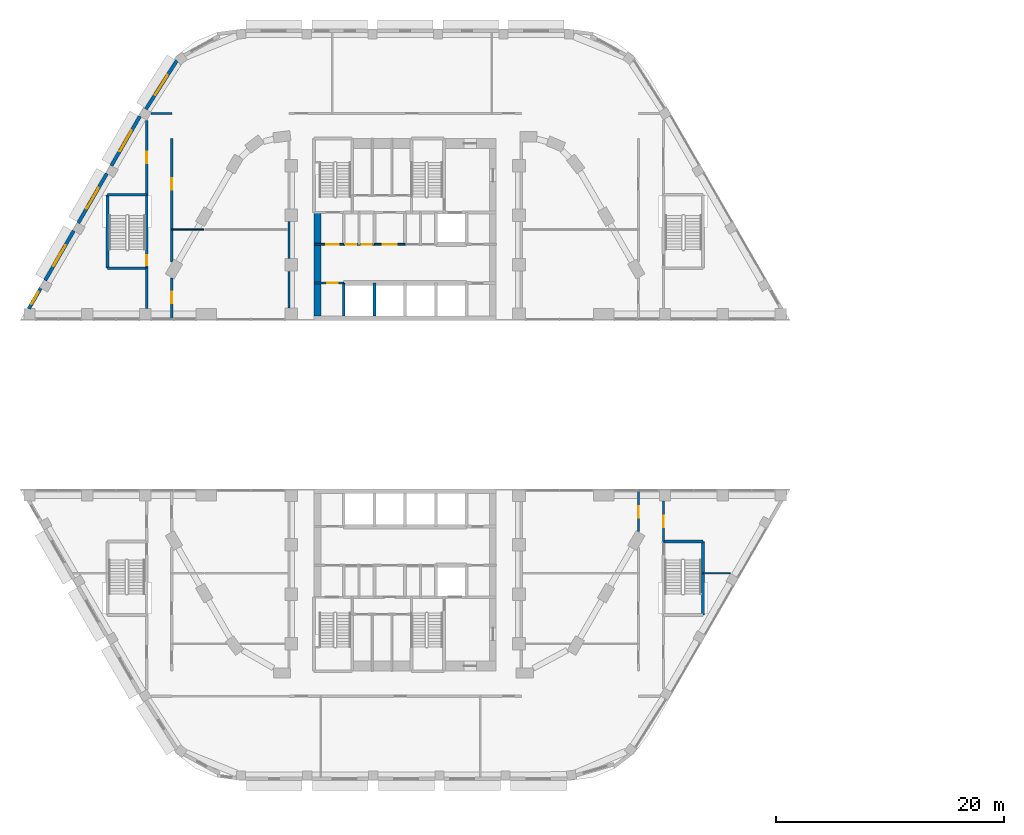
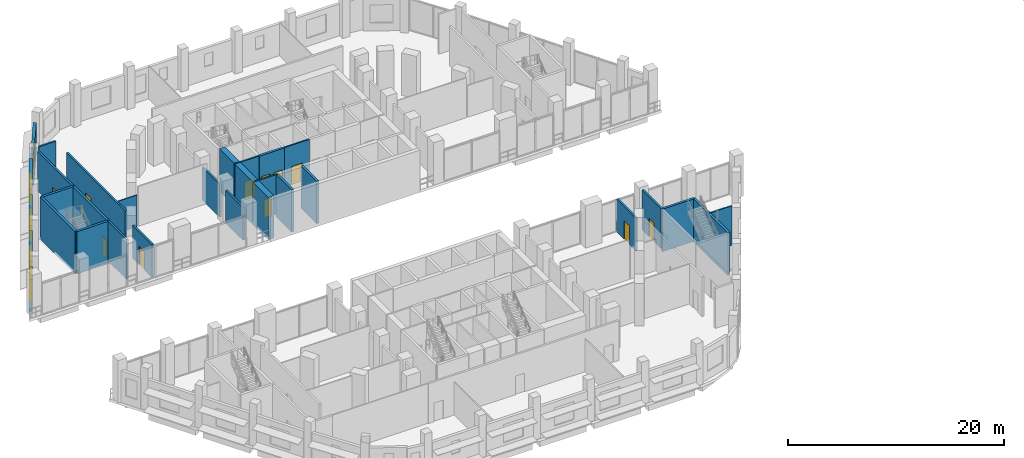
# One storey, part 18 of 45: 29 walls, 11 doors, 5 windows, 16 openings.
"""IFC4 building model written with IfcOpenShell, lengths in metres."""

from ifc_helpers import new_model, si_unit, direction, frame, frame_2d, origin, place, context, subcontext, project, spatial, rectangle, extrude, material, layer, layer_set, type_object, element, fill, save


model = new_model("IFC4")

# Units and contexts
model_context = context("Model", 3, precision=1e-05, world=origin(), true_north=direction((0.0, 1.0)))
body_context = subcontext(model_context, "Body", "Model", "MODEL_VIEW")
ifc_project = project(units=[si_unit("LENGTHUNIT", "METRE"), si_unit("AREAUNIT", "SQUARE_METRE"), si_unit("VOLUMEUNIT", "CUBIC_METRE"), si_unit("PLANEANGLEUNIT", "RADIAN"), si_unit("MASSUNIT", "GRAM", prefix="KILO")], contexts=[model_context])

# Site, building, storey
site_placement = place(None, origin())
site = spatial("IfcSite", under=ifc_project, at=site_placement, CompositionType="ELEMENT")
building_placement = place(site_placement, origin())
building = spatial("IfcBuilding", under=site, at=building_placement, Name="Nakaniwa Court", CompositionType="ELEMENT")
storey_placement = place(building_placement, frame((0.0, 0.0, 6.60009765625)))
storey = spatial("IfcBuildingStorey", under=building, at=storey_placement, Name="L01", CompositionType="ELEMENT", Elevation=6.60009765625)

# Wall, opening, door
ifc_material_1 = material(Name="Acoustic double stud partition")
ifc_layer_1 = layer(ifc_material_1, 0.199951171875)
ifc_layer_set_1 = layer_set([ifc_layer_1], Name="Acoustic double stud partition")
wall_type_1 = type_object("IfcWallType", Name="Acoustic double stud partition 200", PredefinedType="PARTITIONING", material=ifc_layer_set_1)
wall_1_placement = place(storey_placement, frame((102.699951171875, 71.532958984375, 0.0), z_axis=(0.0, 0.0, 1.0), x_axis=(0.0, -1.0, 0.0)))
wall_1 = element("IfcWall", 1, at=wall_1_placement, inside=storey, type_object=wall_type_1, Name="Partition PW-084", PredefinedType="PARTITIONING", context=body_context, shape_type="SweptSolid", body=[
    extrude(rectangle(XDim=3.535888671875, YDim=0.199951171875, at=frame_2d((1.76806640625, 0.0))), origin(), (0.0, 0.0, 1.0), 4.5),
])
opening_1_placement = place(wall_1_placement, frame((1.26806640625, 0.0, 0.0)))
opening_1 = element("IfcOpeningElement", 2, at=opening_1_placement, cuts=wall_1, Name="Opening D-02-09", PredefinedType="OPENING", context=body_context, shape_type="SweptSolid", body=[
    extrude(rectangle(XDim=1.0, YDim=2.10009765625, at=frame_2d((0.5, 1.050048828125))), frame((0.0, 0.10986328125, 0.0), z_axis=(0.0, -1.0, 0.0), x_axis=(1.0, 0.0, 0.0)), (0.0, 0.0, 1.0), 0.219970703125),
])
ifc_material_2 = material(Name="Solid core timber door set, black veneer", Category="wood")
door_type_1 = type_object("IfcDoorType", Name="Internal door 1000", OperationType="NOTDEFINED", PredefinedType="DOOR", material=ifc_material_2)
door_1_placement = place(opening_1_placement, origin())
door_1 = element("IfcDoor", 3, at=door_1_placement, inside=storey, type_object=door_type_1, Name="Door D-02-09 L01-044", OperationType="SINGLE_SWING_LEFT", OverallHeight=2.10009765625, OverallWidth=1.0, PredefinedType="DOOR", context=body_context, shape_type="SweptSolid", body=[
    extrude(rectangle(XDim=1.0, YDim=2.10009765625, at=frame_2d((0.5, 1.050048828125))), frame((0.0, 0.02490234375, 0.0), z_axis=(0.0, -1.0, 0.0), x_axis=(1.0, 0.0, 0.0)), (0.0, 0.0, 1.0), 0.050048828125),
])
fill(opening_1, door_1)

wall_2_placement = place(storey_placement, frame((100.5, 68.850830078125, 0.0), z_axis=(0.0, 0.0, 1.0), x_axis=(0.0, 1.0, 0.0)))
wall_2 = element("IfcWall", 4, at=wall_2_placement, inside=storey, type_object=wall_type_1, Name="Partition PW-088", PredefinedType="PARTITIONING", context=body_context, shape_type="SweptSolid", body=[
    extrude(rectangle(XDim=3.569091796875, YDim=0.199951171875, at=frame_2d((1.78466796875, 0.0))), origin(), (0.0, 0.0, 1.0), 3.72998046875),
])
opening_2_placement = place(wall_2_placement, frame((1.22607421875, 0.0, 0.0)))
opening_2 = element("IfcOpeningElement", 5, at=opening_2_placement, cuts=wall_2, Name="Opening D-02-13", PredefinedType="OPENING", context=body_context, shape_type="SweptSolid", body=[
    extrude(rectangle(XDim=1.0, YDim=2.10009765625, at=frame_2d((0.5, 1.050048828125))), frame((0.0, 0.10986328125, 0.0), z_axis=(0.0, -1.0, 0.0), x_axis=(1.0, 0.0, 0.0)), (0.0, 0.0, 1.0), 0.219970703125),
])
door_2_placement = place(opening_2_placement, origin())
door_2 = element("IfcDoor", 6, at=door_2_placement, inside=storey, type_object=door_type_1, Name="Door D-02-13 L01-048", OperationType="SINGLE_SWING_LEFT", OverallHeight=2.10009765625, OverallWidth=1.0, PredefinedType="DOOR", context=body_context, shape_type="SweptSolid", body=[
    extrude(rectangle(XDim=1.0, YDim=2.10009765625, at=frame_2d((0.5, 1.050048828125))), frame((0.0, 0.02490234375, 0.0), z_axis=(0.0, -1.0, 0.0), x_axis=(1.0, 0.0, 0.0)), (0.0, 0.0, 1.0), 0.050048828125),
])
fill(opening_2, door_2)

# Walls
wall_3_placement = place(storey_placement, frame((57.676513671875, 105.60009765625, 0.0), z_axis=(0.0, 0.0, 1.0), x_axis=(1.0, 0.0, 0.0)))
element("IfcWall", 7, at=wall_3_placement, inside=storey, type_object=wall_type_1, Name="Partition PW-091", PredefinedType="PARTITIONING", context=body_context, shape_type="SweptSolid", body=[
    extrude(rectangle(XDim=1.823486328125, YDim=0.199951171875, at=frame_2d((0.91162109375, 0.0))), origin(), (0.0, 0.0, 1.0), 4.5),
])
wall_4_placement = place(storey_placement, frame((57.300048828125, 88.467041015625, 0.0), z_axis=(0.0, 0.0, 1.0), x_axis=(0.0, 1.0, 0.0)))
element("IfcWall", 8, at=wall_4_placement, inside=storey, type_object=wall_type_1, Name="Partition PW-098", PredefinedType="PARTITIONING", context=body_context, shape_type="SweptSolid", body=[
    extrude(rectangle(XDim=3.535888671875, YDim=0.199951171875, at=frame_2d((1.76806640625, 0.0))), origin(), (0.0, 0.0, 1.0), 4.5),
])

# Wall, opening, door
wall_5_placement = place(storey_placement, frame((57.300048828125, 98.447021484375, 0.0), z_axis=(0.0, 0.0, 1.0), x_axis=(0.0, 1.0, 0.0)))
wall_5 = element("IfcWall", 9, at=wall_5_placement, inside=storey, type_object=wall_type_1, Name="Partition PW-099", PredefinedType="PARTITIONING", context=body_context, shape_type="SweptSolid", body=[
    extrude(rectangle(XDim=6.544189453125, YDim=0.199951171875, at=frame_2d((3.27197265625, 0.0))), origin(), (0.0, 0.0, 1.0), 4.5),
])
opening_3_placement = place(wall_5_placement, frame((2.77197265625, 0.0, 0.0)))
opening_3 = element("IfcOpeningElement", 10, at=opening_3_placement, cuts=wall_5, Name="Opening D-02-01", PredefinedType="OPENING", context=body_context, shape_type="SweptSolid", body=[
    extrude(rectangle(XDim=1.0, YDim=2.10009765625, at=frame_2d((0.5, 1.050048828125))), frame((0.0, 0.10986328125, 0.0), z_axis=(0.0, -1.0, 0.0), x_axis=(1.0, 0.0, 0.0)), (0.0, 0.0, 1.0), 0.219970703125),
])
door_3_placement = place(opening_3_placement, origin())
door_3 = element("IfcDoor", 11, at=door_3_placement, inside=storey, type_object=door_type_1, Name="Door D-02-01 L01-033", OperationType="SINGLE_SWING_RIGHT", OverallHeight=2.10009765625, OverallWidth=1.0, PredefinedType="DOOR", context=body_context, shape_type="SweptSolid", body=[
    extrude(rectangle(XDim=1.0, YDim=2.10009765625, at=frame_2d((0.5, 1.050048828125))), frame((0.0, 0.02490234375, 0.0), z_axis=(0.0, -1.0, 0.0), x_axis=(1.0, 0.0, 0.0)), (0.0, 0.0, 1.0), 0.050048828125),
])
fill(opening_3, door_3)

wall_6_placement = place(storey_placement, frame((59.5, 91.149169921875, 0.0), z_axis=(0.0, 0.0, 1.0), x_axis=(0.0, -1.0, 0.0)))
wall_6 = element("IfcWall", 12, at=wall_6_placement, inside=storey, type_object=wall_type_1, Name="Partition PW-102", PredefinedType="PARTITIONING", context=body_context, shape_type="SweptSolid", body=[
    extrude(rectangle(XDim=3.569091796875, YDim=0.199951171875, at=frame_2d((1.78466796875, 0.0))), origin(), (0.0, 0.0, 1.0), 3.72998046875),
])
opening_4_placement = place(wall_6_placement, frame((1.22607421875, 0.0, 0.0)))
opening_4 = element("IfcOpeningElement", 13, at=opening_4_placement, cuts=wall_6, Name="Opening D-02-04", PredefinedType="OPENING", context=body_context, shape_type="SweptSolid", body=[
    extrude(rectangle(XDim=1.0, YDim=2.10009765625, at=frame_2d((0.5, 1.050048828125))), frame((0.0, 0.10986328125, 0.0), z_axis=(0.0, -1.0, 0.0), x_axis=(1.0, 0.0, 0.0)), (0.0, 0.0, 1.0), 0.219970703125),
])
door_4_placement = place(opening_4_placement, origin())
door_4 = element("IfcDoor", 14, at=door_4_placement, inside=storey, type_object=door_type_1, Name="Door D-02-04 L01-037", OperationType="SINGLE_SWING_RIGHT", OverallHeight=2.10009765625, OverallWidth=1.0, PredefinedType="DOOR", context=body_context, shape_type="SweptSolid", body=[
    extrude(rectangle(XDim=1.0, YDim=2.10009765625, at=frame_2d((0.5, 1.050048828125))), frame((0.0, 0.02490234375, 0.0), z_axis=(0.0, -1.0, 0.0), x_axis=(1.0, 0.0, 0.0)), (0.0, 0.0, 1.0), 0.050048828125),
])
fill(opening_4, door_4)

wall_7_placement = place(storey_placement, frame((59.5, 103.403076171875, 0.0), z_axis=(0.0, 0.0, 1.0), x_axis=(0.0, -1.0, 0.0)))
wall_7 = element("IfcWall", 15, at=wall_7_placement, inside=storey, type_object=wall_type_1, Name="Partition PW-103", PredefinedType="PARTITIONING", context=body_context, shape_type="SweptSolid", body=[
    extrude(rectangle(XDim=10.873291015625, YDim=0.199951171875, at=frame_2d((5.4365234375, 0.0))), origin(), (0.0, 0.0, 1.0), 4.5),
])
opening_5_placement = place(wall_7_placement, frame((3.5029296875, 0.0, 0.0)))
opening_5 = element("IfcOpeningElement", 16, at=opening_5_placement, cuts=wall_7, Name="Opening D-02-05", PredefinedType="OPENING", context=body_context, shape_type="SweptSolid", body=[
    extrude(rectangle(XDim=1.0, YDim=2.10009765625, at=frame_2d((0.5, 1.050048828125))), frame((0.0, 0.10986328125, 0.0), z_axis=(0.0, -1.0, 0.0), x_axis=(1.0, 0.0, 0.0)), (0.0, 0.0, 1.0), 0.219970703125),
])
door_5_placement = place(opening_5_placement, origin())
door_5 = element("IfcDoor", 17, at=door_5_placement, inside=storey, type_object=door_type_1, Name="Door D-02-05 L01-038", OperationType="SINGLE_SWING_LEFT", OverallHeight=2.10009765625, OverallWidth=1.0, PredefinedType="DOOR", context=body_context, shape_type="SweptSolid", body=[
    extrude(rectangle(XDim=1.0, YDim=2.10009765625, at=frame_2d((0.5, 1.050048828125))), frame((0.0, 0.02490234375, 0.0), z_axis=(0.0, -1.0, 0.0), x_axis=(1.0, 0.0, 0.0)), (0.0, 0.0, 1.0), 0.050048828125),
])
fill(opening_5, door_5)

# Walls
wall_8_placement = place(storey_placement, frame((69.800048828125, 88.51708984375, 0.0), z_axis=(0.0, 0.0, 1.0), x_axis=(0.0, 1.0, 0.0)))
element("IfcWall", 18, at=wall_8_placement, inside=storey, type_object=wall_type_1, Name="Partition PW-116", PredefinedType="PARTITIONING", context=body_context, shape_type="SweptSolid", body=[
    extrude(rectangle(XDim=3.2158203125, YDim=0.199951171875, at=frame_2d((1.60791015625, 0.0))), origin(), (0.0, 0.0, 1.0), 3.72998046875),
])
wall_9_placement = place(storey_placement, frame((69.800048828125, 92.866943359375, 0.0), z_axis=(0.0, 0.0, 1.0), x_axis=(0.0, 1.0, 0.0)))
element("IfcWall", 19, at=wall_9_placement, inside=storey, type_object=wall_type_1, Name="Partition PW-117", PredefinedType="PARTITIONING", context=body_context, shape_type="SweptSolid", body=[
    extrude(rectangle(XDim=3.216064453125, YDim=0.199951171875, at=frame_2d((1.60791015625, 0.0))), origin(), (0.0, 0.0, 1.0), 3.72998046875),
])

# Wall, opening, window
ifc_material_3 = material(Name="Charcoal ceramic cladding")
ifc_layer_2 = layer(ifc_material_3, 0.02, Name="Ceramic cladding")
ifc_material_4 = material(Name="Ventilated air cavity")
ifc_layer_3 = layer(ifc_material_4, 0.04, ventilated=True, Name="Ventilated cavity")
ifc_material_5 = material(Name="Mineral wool insulation")
ifc_layer_4 = layer(ifc_material_5, 0.1, Name="Insulation")
ifc_material_6 = material(Name="Cement bonded sheathing board")
ifc_layer_5 = layer(ifc_material_6, 0.012, Name="Sheathing")
ifc_material_7 = material(Name="Cold-formed galvanised stud frame with mineral wool infill")
ifc_layer_6 = layer(ifc_material_7, 0.1, Name="Stud frame")
ifc_material_8 = material(Name="Fire-rated gypsum plasterboard lining")
ifc_layer_7 = layer(ifc_material_8, 0.028, Name="Lining")
ifc_layer_set_2 = layer_set([ifc_layer_2, ifc_layer_3, ifc_layer_4, ifc_layer_5, ifc_layer_6, ifc_layer_7], Name="Charcoal ceramic faced external wall system")
wall_type_2 = type_object("IfcWallType", Name="Black ceramic faced external wall 300", PredefinedType="SOLIDWALL", material=ifc_layer_set_2)
wall_10_placement = place(storey_placement, frame((56.7080078125, 105.357177734375, 0.0), z_axis=(0.0, 0.0, 1.0), x_axis=(-0.500011252833, -0.866018906861, 0.0)))
wall_10 = element("IfcWall", 20, at=wall_10_placement, inside=storey, type_object=wall_type_2, Name="L01 external wall 27", PredefinedType="SOLIDWALL", context=body_context, shape_type="SweptSolid", body=[
    extrude(rectangle(XDim=5.02490234375, YDim=0.300048828125, at=frame_2d((2.512451171875, 0.0))), origin(), (0.0, 0.0, 1.0), 3.599853515625),
])
opening_6_placement = place(wall_10_placement, frame((1.46240234375, 0.0, 0.89990234375)))
opening_6 = element("IfcOpeningElement", 21, at=opening_6_placement, cuts=wall_10, Name="Opening W2.14", PredefinedType="OPENING", context=body_context, shape_type="SweptSolid", body=[
    extrude(rectangle(XDim=2.10009765625, YDim=2.050048828125, at=frame_2d((1.050048828125, 1.02490234375))), frame((0.0, 0.159912109375, 0.0), z_axis=(0.0, -1.0, 0.0), x_axis=(1.0, 0.0, 0.0)), (0.0, 0.0, 1.0), 0.320068359375),
])
ifc_material_9 = material(Name="Black anodised aluminium frame with dark low-E laminated double glazing", Category="aluminium")
window_type_1 = type_object("IfcWindowType", Name="Dark glass window 2100x2050 sill 900", PartitioningType="SINGLE_PANEL", PredefinedType="WINDOW", material=ifc_material_9)
window_1_placement = place(opening_6_placement, origin())
window_1 = element("IfcWindow", 22, at=window_1_placement, inside=storey, type_object=window_type_1, Name="L01 habitable room window 27-0", OverallHeight=2.050048828125, OverallWidth=2.10009765625, PartitioningType="SINGLE_PANEL", PredefinedType="WINDOW", context=body_context, shape_type="SweptSolid", body=[
    extrude(rectangle(XDim=2.10009765625, YDim=2.050048828125, at=frame_2d((1.050048828125, 1.02490234375))), frame((0.0, 0.030029296875, 0.0), z_axis=(0.0, -1.0, 0.0), x_axis=(1.0, 0.0, 0.0)), (0.0, 0.0, 1.0), 0.06005859375),
])
fill(opening_6, window_1)

wall_11_placement = place(storey_placement, frame((53.799560546875, 100.319580078125, 0.0), z_axis=(0.0, 0.0, 1.0), x_axis=(-0.499974811625, -0.866039945811, 0.0)))
wall_11 = element("IfcWall", 23, at=wall_11_placement, inside=storey, type_object=wall_type_2, Name="L01 external wall 28", PredefinedType="SOLIDWALL", context=body_context, shape_type="SweptSolid", body=[
    extrude(rectangle(XDim=5.024658203125, YDim=0.300048828125, at=frame_2d((2.51220703125, 0.0))), origin(), (0.0, 0.0, 1.0), 3.599853515625),
])
opening_7_placement = place(wall_11_placement, frame((1.46240234375, 0.0, 0.89990234375)))
opening_7 = element("IfcOpeningElement", 24, at=opening_7_placement, cuts=wall_11, Name="Opening W2.15", PredefinedType="OPENING", context=body_context, shape_type="SweptSolid", body=[
    extrude(rectangle(XDim=2.10009765625, YDim=2.050048828125, at=frame_2d((1.050048828125, 1.02490234375))), frame((0.0, 0.159912109375, 0.0), z_axis=(0.0, -1.0, 0.0), x_axis=(1.0, 0.0, 0.0)), (0.0, 0.0, 1.0), 0.320068359375),
])
window_2_placement = place(opening_7_placement, origin())
window_2 = element("IfcWindow", 25, at=window_2_placement, inside=storey, type_object=window_type_1, Name="L01 habitable room window 28-0", OverallHeight=2.050048828125, OverallWidth=2.10009765625, PartitioningType="SINGLE_PANEL", PredefinedType="WINDOW", context=body_context, shape_type="SweptSolid", body=[
    extrude(rectangle(XDim=2.10009765625, YDim=2.050048828125, at=frame_2d((1.050048828125, 1.02490234375))), frame((0.0, 0.030029296875, 0.0), z_axis=(0.0, -1.0, 0.0), x_axis=(1.0, 0.0, 0.0)), (0.0, 0.0, 1.0), 0.06005859375),
])
fill(opening_7, window_2)

wall_12_placement = place(storey_placement, frame((50.891357421875, 95.2822265625, 0.0), z_axis=(0.0, 0.0, 1.0), x_axis=(-0.500011252833, -0.866018906861, 0.0)))
wall_12 = element("IfcWall", 26, at=wall_12_placement, inside=storey, type_object=wall_type_2, Name="L01 external wall 29", PredefinedType="SOLIDWALL", context=body_context, shape_type="SweptSolid", body=[
    extrude(rectangle(XDim=5.02490234375, YDim=0.300048828125, at=frame_2d((2.512451171875, 0.0))), origin(), (0.0, 0.0, 1.0), 3.599853515625),
])
opening_8_placement = place(wall_12_placement, frame((1.46240234375, 0.0, 0.89990234375)))
opening_8 = element("IfcOpeningElement", 27, at=opening_8_placement, cuts=wall_12, Name="Opening W2.16", PredefinedType="OPENING", context=body_context, shape_type="SweptSolid", body=[
    extrude(rectangle(XDim=2.10009765625, YDim=2.050048828125, at=frame_2d((1.050048828125, 1.02490234375))), frame((0.0, 0.159912109375, 0.0), z_axis=(0.0, -1.0, 0.0), x_axis=(1.0, 0.0, 0.0)), (0.0, 0.0, 1.0), 0.320068359375),
])
window_3_placement = place(opening_8_placement, origin())
window_3 = element("IfcWindow", 28, at=window_3_placement, inside=storey, type_object=window_type_1, Name="L01 habitable room window 29-0", OverallHeight=2.050048828125, OverallWidth=2.10009765625, PartitioningType="SINGLE_PANEL", PredefinedType="WINDOW", context=body_context, shape_type="SweptSolid", body=[
    extrude(rectangle(XDim=2.10009765625, YDim=2.050048828125, at=frame_2d((1.050048828125, 1.02490234375))), frame((0.0, 0.030029296875, 0.0), z_axis=(0.0, -1.0, 0.0), x_axis=(1.0, 0.0, 0.0)), (0.0, 0.0, 1.0), 0.06005859375),
])
fill(opening_8, window_3)

wall_13_placement = place(storey_placement, frame((47.98291015625, 90.244873046875, 0.0), z_axis=(0.0, 0.0, 1.0), x_axis=(-0.500020978615, -0.866013291437, 0.0)))
wall_13 = element("IfcWall", 29, at=wall_13_placement, inside=storey, type_object=wall_type_2, Name="L01 external wall 30", PredefinedType="SOLIDWALL", context=body_context, shape_type="SweptSolid", body=[
    extrude(rectangle(XDim=2.07666015625, YDim=0.300048828125, at=frame_2d((1.038330078125, 0.0))), origin(), (0.0, 0.0, 1.0), 3.599853515625),
])
opening_9_placement = place(wall_13_placement, frame((0.3876953125, 0.0, 0.89990234375)))
opening_9 = element("IfcOpeningElement", 30, at=opening_9_placement, cuts=wall_13, Name="Opening W1.17", PredefinedType="OPENING", context=body_context, shape_type="SweptSolid", body=[
    extrude(rectangle(XDim=1.199951171875, YDim=2.050048828125, at=frame_2d((0.60009765625, 1.02490234375))), frame((0.0, 0.159912109375, 0.0), z_axis=(0.0, -1.0, 0.0), x_axis=(1.0, 0.0, 0.0)), (0.0, 0.0, 1.0), 0.320068359375),
])
window_type_2 = type_object("IfcWindowType", Name="Dark glass window 1200x2050 sill 900", PartitioningType="SINGLE_PANEL", PredefinedType="WINDOW", material=ifc_material_9)
window_4_placement = place(opening_9_placement, origin())
window_4 = element("IfcWindow", 31, at=window_4_placement, inside=storey, type_object=window_type_2, Name="L01 habitable room window 30-0", OverallHeight=2.050048828125, OverallWidth=1.199951171875, PartitioningType="SINGLE_PANEL", PredefinedType="WINDOW", context=body_context, shape_type="SweptSolid", body=[
    extrude(rectangle(XDim=1.199951171875, YDim=2.050048828125, at=frame_2d((0.60009765625, 1.02490234375))), frame((0.0, 0.030029296875, 0.0), z_axis=(0.0, -1.0, 0.0), x_axis=(1.0, 0.0, 0.0)), (0.0, 0.0, 1.0), 0.06005859375),
])
fill(opening_9, window_4)

wall_14_placement = place(storey_placement, frame((59.95361328125, 110.24755859375, 0.0), z_axis=(0.0, 0.0, 1.0), x_axis=(-0.537224370512, -0.843439372882, 0.0)))
wall_14 = element("IfcWall", 32, at=wall_14_placement, inside=storey, type_object=wall_type_2, Name="L01 external wall 53", PredefinedType="SOLIDWALL", context=body_context, shape_type="SweptSolid", body=[
    extrude(rectangle(XDim=5.07080078125, YDim=0.300048828125, at=frame_2d((2.535400390625, 0.0))), origin(), (0.0, 0.0, 1.0), 3.599853515625),
])
opening_10_placement = place(wall_14_placement, frame((1.51318359375, 0.0, 0.89990234375)))
opening_10 = element("IfcOpeningElement", 33, at=opening_10_placement, cuts=wall_14, Name="Opening W2.27", PredefinedType="OPENING", context=body_context, shape_type="SweptSolid", body=[
    extrude(rectangle(XDim=2.10009765625, YDim=2.050048828125, at=frame_2d((1.050048828125, 1.02490234375))), frame((0.0, 0.159912109375, 0.0), z_axis=(0.0, -1.0, 0.0), x_axis=(1.0, 0.0, 0.0)), (0.0, 0.0, 1.0), 0.320068359375),
])
window_5_placement = place(opening_10_placement, origin())
window_5 = element("IfcWindow", 34, at=window_5_placement, inside=storey, type_object=window_type_1, Name="L01 habitable room window 53-0", OverallHeight=2.050048828125, OverallWidth=2.10009765625, PartitioningType="SINGLE_PANEL", PredefinedType="WINDOW", context=body_context, shape_type="SweptSolid", body=[
    extrude(rectangle(XDim=2.10009765625, YDim=2.050048828125, at=frame_2d((1.050048828125, 1.02490234375))), frame((0.0, 0.030029296875, 0.0), z_axis=(0.0, -1.0, 0.0), x_axis=(1.0, 0.0, 0.0)), (0.0, 0.0, 1.0), 0.06005859375),
])
fill(opening_10, window_5)

# Wall, opening, door
ifc_material_10 = material(Name="Blockwork partition", Category="masonry")
ifc_layer_8 = layer(ifc_material_10, 0.14990234375)
ifc_layer_set_3 = layer_set([ifc_layer_8], Name="Blockwork partition")
wall_type_3 = type_object("IfcWallType", Name="Blockwork partition 150", PredefinedType="PARTITIONING", material=ifc_layer_set_3)
wall_15_placement = place(storey_placement, frame((74.60009765625, 90.699951171875, 0.0), z_axis=(0.0, 0.0, 1.0), x_axis=(-1.0, 0.0, 0.0)))
wall_15 = element("IfcWall", 35, at=wall_15_placement, inside=storey, type_object=wall_type_3, Name="Partition PW-003", PredefinedType="PARTITIONING", context=body_context, shape_type="SweptSolid", body=[
    extrude(rectangle(XDim=2.60009765625, YDim=0.14990234375, at=frame_2d((1.300048828125, 0.0))), origin(), (0.0, 0.0, 1.0), 4.5),
])
opening_11_placement = place(wall_15_placement, frame((0.52490234375, 0.0, 0.0)))
opening_11 = element("IfcOpeningElement", 36, at=opening_11_placement, cuts=wall_15, Name="Opening D-05-01", PredefinedType="OPENING", context=body_context, shape_type="SweptSolid", body=[
    extrude(rectangle(XDim=0.89990234375, YDim=2.10009765625, at=frame_2d((0.449951171875, 1.050048828125))), frame((0.0, 0.0849609375, 0.0), z_axis=(0.0, -1.0, 0.0), x_axis=(1.0, 0.0, 0.0)), (0.0, 0.0, 1.0), 0.169921875),
])
ifc_material_11 = material(Name="Fire rated steel door set", Category="steel")
door_type_2 = type_object("IfcDoorType", Name="Service room door 900", OperationType="NOTDEFINED", PredefinedType="DOOR", material=ifc_material_11)
door_6_placement = place(opening_11_placement, origin())
door_6 = element("IfcDoor", 37, at=door_6_placement, inside=storey, type_object=door_type_2, Name="Door D-05-01 L01-001", OperationType="SINGLE_SWING_RIGHT", OverallHeight=2.10009765625, OverallWidth=0.89990234375, PredefinedType="DOOR", context=body_context, shape_type="SweptSolid", body=[
    extrude(rectangle(XDim=0.89990234375, YDim=2.10009765625, at=frame_2d((0.449951171875, 1.050048828125))), frame((0.0, 0.02490234375, 0.0), z_axis=(0.0, -1.0, 0.0), x_axis=(1.0, 0.0, 0.0)), (0.0, 0.0, 1.0), 0.050048828125),
])
fill(opening_11, door_6)

wall_16_placement = place(storey_placement, frame((72.0, 94.10009765625, 0.0), z_axis=(0.0, 0.0, 1.0), x_axis=(1.0, 0.0, 0.0)))
wall_16 = element("IfcWall", 38, at=wall_16_placement, inside=storey, type_object=wall_type_3, Name="Partition PW-016", PredefinedType="PARTITIONING", context=body_context, shape_type="SweptSolid", body=[
    extrude(rectangle(XDim=2.60302734375, YDim=0.14990234375, at=frame_2d((1.301513671875, 0.0))), origin(), (0.0, 0.0, 1.0), 4.5),
])
opening_12_placement = place(wall_16_placement, frame((1.074951171875, 0.0, 0.0)))
opening_12 = element("IfcOpeningElement", 39, at=opening_12_placement, cuts=wall_16, Name="Opening D-08-01", PredefinedType="OPENING", context=body_context, shape_type="SweptSolid", body=[
    extrude(rectangle(XDim=1.10009765625, YDim=2.10009765625, at=frame_2d((0.550048828125, 1.050048828125))), frame((0.0, 0.0849609375, 0.0), z_axis=(0.0, -1.0, 0.0), x_axis=(1.0, 0.0, 0.0)), (0.0, 0.0, 1.0), 0.169921875),
])
door_type_3 = type_object("IfcDoorType", Name="Stair lobby door 1100", OperationType="NOTDEFINED", PredefinedType="DOOR", material=ifc_material_11)
door_7_placement = place(opening_12_placement, origin())
door_7 = element("IfcDoor", 40, at=door_7_placement, inside=storey, type_object=door_type_3, Name="Door D-08-01 L01-003", OperationType="SINGLE_SWING_RIGHT", OverallHeight=2.10009765625, OverallWidth=1.10009765625, PredefinedType="DOOR", context=body_context, shape_type="SweptSolid", body=[
    extrude(rectangle(XDim=1.10009765625, YDim=2.10009765625, at=frame_2d((0.550048828125, 1.050048828125))), frame((0.0, 0.02490234375, 0.0), z_axis=(0.0, -1.0, 0.0), x_axis=(1.0, 0.0, 0.0)), (0.0, 0.0, 1.0), 0.050048828125),
])
fill(opening_12, door_7)

wall_17_placement = place(storey_placement, frame((77.297119140625, 94.10009765625, 0.0), z_axis=(0.0, 0.0, 1.0), x_axis=(1.0, 0.0, 0.0)))
wall_17 = element("IfcWall", 41, at=wall_17_placement, inside=storey, type_object=wall_type_3, Name="Partition PW-017", PredefinedType="PARTITIONING", context=body_context, shape_type="SweptSolid", body=[
    extrude(rectangle(XDim=2.705810546875, YDim=0.14990234375, at=frame_2d((1.35302734375, 0.0))), origin(), (0.0, 0.0, 1.0), 4.5),
])
opening_13_placement = place(wall_17_placement, frame((0.7529296875, 0.0, 0.0)))
opening_13 = element("IfcOpeningElement", 42, at=opening_13_placement, cuts=wall_17, Name="Opening D-06-01", PredefinedType="OPENING", context=body_context, shape_type="SweptSolid", body=[
    extrude(rectangle(XDim=1.199951171875, YDim=2.10009765625, at=frame_2d((0.60009765625, 1.050048828125))), frame((0.0, 0.0849609375, 0.0), z_axis=(0.0, -1.0, 0.0), x_axis=(1.0, 0.0, 0.0)), (0.0, 0.0, 1.0), 0.169921875),
])
ifc_material_12 = material(Name="Fire rated steel double door set", Category="steel")
door_type_4 = type_object("IfcDoorType", Name="Service passage double door 1200", OperationType="NOTDEFINED", PredefinedType="DOOR", material=ifc_material_12)
door_8_placement = place(opening_13_placement, origin())
door_8 = element("IfcDoor", 43, at=door_8_placement, inside=storey, type_object=door_type_4, Name="Door D-06-01 L01-006", OperationType="DOUBLE_DOOR_SINGLE_SWING", OverallHeight=2.10009765625, OverallWidth=1.199951171875, PredefinedType="DOOR", context=body_context, shape_type="SweptSolid", body=[
    extrude(rectangle(XDim=1.199951171875, YDim=2.10009765625, at=frame_2d((0.60009765625, 1.050048828125))), frame((0.0, 0.02490234375, 0.0), z_axis=(0.0, -1.0, 0.0), x_axis=(1.0, 0.0, 0.0)), (0.0, 0.0, 1.0), 0.050048828125),
])
fill(opening_13, door_8)

# Wall
ifc_material_13 = material(Name="Concrete C100/115", Category="concrete")
ifc_layer_9 = layer(ifc_material_13, 0.60009765625)
ifc_layer_set_4 = layer_set([ifc_layer_9], Name="Concrete C100/115")
wall_type_4 = type_object("IfcWallType", Name="Concrete core side wall 600 C100", PredefinedType="SHEAR", material=ifc_layer_set_4)
wall_18_placement = place(storey_placement, frame((72.300048828125, 87.800048828125, -0.300048828125), z_axis=(0.0, 0.0, 1.0), x_axis=(0.0, 1.0, 0.0)))
element("IfcWall", 44, at=wall_18_placement, inside=storey, type_object=wall_type_4, Name="Core wall SW-04", PredefinedType="SHEAR", context=body_context, shape_type="SweptSolid", body=[
    extrude(rectangle(XDim=9.099853515625, YDim=0.60009765625, at=frame_2d((4.5498046875, 0.0))), origin(), (0.0, 0.0, 1.0), 4.800048828125),
])

# Wall, opening, door
ifc_layer_10 = layer(ifc_material_13, 0.25)
ifc_layer_set_5 = layer_set([ifc_layer_10], Name="Concrete C100/115")
wall_type_5 = type_object("IfcWallType", Name="Concrete core wall 250 C100", PredefinedType="SHEAR", material=ifc_layer_set_5)
wall_19_placement = place(storey_placement, frame((57.300048828125, 98.452880859375, -0.300048828125), z_axis=(0.0, 0.0, 1.0), x_axis=(0.0, -1.0, 0.0)))
wall_19 = element("IfcWall", 45, at=wall_19_placement, inside=storey, type_object=wall_type_5, Name="Core wall SW-95", PredefinedType="SHEAR", context=body_context, shape_type="SweptSolid", body=[
    extrude(rectangle(XDim=6.455810546875, YDim=0.25, at=frame_2d((3.22802734375, 0.0))), origin(), (0.0, 0.0, 1.0), 4.800048828125),
])
opening_14_placement = place(wall_19_placement, frame((5.305908203125, 0.0, 0.300048828125)))
opening_14 = element("IfcOpeningElement", 46, at=opening_14_placement, cuts=wall_19, Name="Opening D-11-04", PredefinedType="OPENING", context=body_context, shape_type="SweptSolid", body=[
    extrude(rectangle(XDim=0.89990234375, YDim=2.10009765625, at=frame_2d((0.449951171875, 1.050048828125))), frame((0.0, 0.135009765625, 0.0), z_axis=(0.0, -1.0, 0.0), x_axis=(1.0, 0.0, 0.0)), (0.0, 0.0, 1.0), 0.27001953125),
])
door_type_5 = type_object("IfcDoorType", Name="Stair door 900", OperationType="NOTDEFINED", PredefinedType="DOOR", material=ifc_material_11)
door_9_placement = place(opening_14_placement, origin())
door_9 = element("IfcDoor", 47, at=door_9_placement, inside=storey, type_object=door_type_5, Name="Door D-11-04 L01-032", OperationType="SINGLE_SWING_RIGHT", OverallHeight=2.10009765625, OverallWidth=0.89990234375, PredefinedType="DOOR", context=body_context, shape_type="SweptSolid", body=[
    extrude(rectangle(XDim=0.89990234375, YDim=2.10009765625, at=frame_2d((0.449951171875, 1.050048828125))), frame((0.0, 0.02490234375, 0.0), z_axis=(0.0, -1.0, 0.0), x_axis=(1.0, 0.0, 0.0)), (0.0, 0.0, 1.0), 0.050048828125),
])
fill(opening_14, door_9)

# Walls
wall_20_placement = place(storey_placement, frame((106.14990234375, 61.550048828125, -0.300048828125), z_axis=(0.0, 0.0, 1.0), x_axis=(0.0, 1.0, 0.0)))
element("IfcWall", 48, at=wall_20_placement, inside=storey, type_object=wall_type_5, Name="Core wall SW-120", PredefinedType="SHEAR", context=body_context, shape_type="SweptSolid", body=[
    extrude(rectangle(XDim=6.449951171875, YDim=0.25, at=frame_2d((3.22509765625, 0.0))), origin(), (0.0, 0.0, 1.0), 4.800048828125),
])
for number, where, z_axis, x_axis, name in (
    (49, (53.85009765625, 98.449951171875, -0.300048828125), (0.0, 0.0, 1.0), (1.0, 0.0, 0.0), "Core wall SW-122"),
    (50, (53.85009765625, 92.0, -0.300048828125), (0.0, 0.0, 1.0), (1.0, 0.0, 0.0), "Core wall SW-124"),
):
    element("IfcWall", number, at=place(storey_placement, frame(where, z_axis=z_axis, x_axis=x_axis)), inside=storey, type_object=wall_type_5, Name=name, PredefinedType="SHEAR", context=body_context, shape_type="SweptSolid", body=[
        extrude(rectangle(XDim=3.449951171875, YDim=0.25, at=frame_2d((1.72509765625, 0.0))), origin(), (0.0, 0.0, 1.0), 4.800048828125),
    ])
wall_21_placement = place(storey_placement, frame((53.85009765625, 92.0, -0.300048828125), z_axis=(0.0, 0.0, 1.0), x_axis=(0.0, 1.0, 0.0)))
element("IfcWall", 51, at=wall_21_placement, inside=storey, type_object=wall_type_5, Name="Core wall SW-127", PredefinedType="SHEAR", context=body_context, shape_type="SweptSolid", body=[
    extrude(rectangle(XDim=6.449951171875, YDim=0.25, at=frame_2d((3.22509765625, 0.0))), origin(), (0.0, 0.0, 1.0), 4.800048828125),
])
wall_22_placement = place(storey_placement, frame((102.699951171875, 68.0, -0.300048828125), z_axis=(0.0, 0.0, 1.0), x_axis=(1.0, 0.0, 0.0)))
element("IfcWall", 52, at=wall_22_placement, inside=storey, type_object=wall_type_5, Name="Core wall SW-138", PredefinedType="SHEAR", context=body_context, shape_type="SweptSolid", body=[
    extrude(rectangle(XDim=3.449951171875, YDim=0.25, at=frame_2d((1.72509765625, 0.0))), origin(), (0.0, 0.0, 1.0), 4.800048828125),
])
ifc_layer_11 = layer(ifc_material_13, 0.25)
ifc_layer_set_6 = layer_set([ifc_layer_11], Name="Concrete C100/115")
wall_type_6 = type_object("IfcWallType", Name="Concrete shaft wall 250 C100", PredefinedType="SHEAR", material=ifc_layer_set_6)
for number, where, z_axis, x_axis, name in (
    (53, (74.60009765625, 87.800048828125, -0.300048828125), (0.0, 0.0, 1.0), (0.0, 1.0, 0.0), "Core wall SW-01"),
    (54, (77.300048828125, 87.800048828125, -0.300048828125), (0.0, 0.0, 1.0), (0.0, 1.0, 0.0), "Core wall SW-05"),
):
    element("IfcWall", number, at=place(storey_placement, frame(where, z_axis=z_axis, x_axis=x_axis)), inside=storey, type_object=wall_type_6, Name=name, PredefinedType="SHEAR", context=body_context, shape_type="SweptSolid", body=[
        extrude(rectangle(XDim=2.89990234375, YDim=0.25, at=frame_2d((1.449951171875, 0.0))), origin(), (0.0, 0.0, 1.0), 4.800048828125),
    ])

# Wall, openings, doors
wall_23_placement = place(storey_placement, frame((74.596923828125, 94.10009765625, -0.300048828125), z_axis=(0.0, 0.0, 1.0), x_axis=(1.0, 0.0, 0.0)))
wall_23 = element("IfcWall", 55, at=wall_23_placement, inside=storey, type_object=wall_type_6, Name="Core wall SW-19", PredefinedType="SHEAR", context=body_context, shape_type="SweptSolid", body=[
    extrude(rectangle(XDim=2.7060546875, YDim=0.25, at=frame_2d((1.35302734375, 0.0))), origin(), (0.0, 0.0, 1.0), 4.800048828125),
])
opening_15_placement = place(wall_23_placement, frame((0.22802734375, 0.0, 0.300048828125)))
opening_15 = element("IfcOpeningElement", 56, at=opening_15_placement, cuts=wall_23, Name="Opening D-05-03", PredefinedType="OPENING", context=body_context, shape_type="SweptSolid", body=[
    extrude(rectangle(XDim=0.89990234375, YDim=2.10009765625, at=frame_2d((0.449951171875, 1.050048828125))), frame((0.0, 0.135009765625, 0.0), z_axis=(0.0, -1.0, 0.0), x_axis=(1.0, 0.0, 0.0)), (0.0, 0.0, 1.0), 0.27001953125),
])
opening_16_placement = place(wall_23_placement, frame((1.577880859375, 0.0, 0.300048828125)))
opening_16 = element("IfcOpeningElement", 57, at=opening_16_placement, cuts=wall_23, Name="Opening D-05-04", PredefinedType="OPENING", context=body_context, shape_type="SweptSolid", body=[
    extrude(rectangle(XDim=0.89990234375, YDim=2.10009765625, at=frame_2d((0.449951171875, 1.050048828125))), frame((0.0, 0.135009765625, 0.0), z_axis=(0.0, -1.0, 0.0), x_axis=(1.0, 0.0, 0.0)), (0.0, 0.0, 1.0), 0.27001953125),
])
door_10_placement = place(opening_15_placement, origin())
door_10 = element("IfcDoor", 58, at=door_10_placement, inside=storey, type_object=door_type_2, Name="Door D-05-03 L01-004", OperationType="SINGLE_SWING_LEFT", OverallHeight=2.10009765625, OverallWidth=0.89990234375, PredefinedType="DOOR", context=body_context, shape_type="SweptSolid", body=[
    extrude(rectangle(XDim=0.89990234375, YDim=2.10009765625, at=frame_2d((0.449951171875, 1.050048828125))), frame((0.0, 0.02490234375, 0.0), z_axis=(0.0, -1.0, 0.0), x_axis=(1.0, 0.0, 0.0)), (0.0, 0.0, 1.0), 0.050048828125),
])
fill(opening_15, door_10)
door_11_placement = place(opening_16_placement, origin())
door_11 = element("IfcDoor", 59, at=door_11_placement, inside=storey, type_object=door_type_2, Name="Door D-05-04 L01-005", OperationType="SINGLE_SWING_RIGHT", OverallHeight=2.10009765625, OverallWidth=0.89990234375, PredefinedType="DOOR", context=body_context, shape_type="SweptSolid", body=[
    extrude(rectangle(XDim=0.89990234375, YDim=2.10009765625, at=frame_2d((0.449951171875, 1.050048828125))), frame((0.0, 0.02490234375, 0.0), z_axis=(0.0, -1.0, 0.0), x_axis=(1.0, 0.0, 0.0)), (0.0, 0.0, 1.0), 0.050048828125),
])
fill(opening_16, door_11)

# Walls
ifc_material_14 = material(Name="Single stud plasterboard partition")
ifc_layer_12 = layer(ifc_material_14, 0.10009765625)
ifc_layer_set_7 = layer_set([ifc_layer_12], Name="Single stud plasterboard partition")
wall_type_7 = type_object("IfcWallType", Name="Single stud plasterboard partition 100", PredefinedType="PARTITIONING", material=ifc_layer_set_7)
wall_24_placement = place(storey_placement, frame((59.5, 95.39990234375, 0.0), z_axis=(0.0, 0.0, 1.0), x_axis=(1.0, 0.0, 0.0)))
element("IfcWall", 60, at=wall_24_placement, inside=storey, type_object=wall_type_7, Name="Partition PW-128", PredefinedType="PARTITIONING", context=body_context, shape_type="SweptSolid", body=[
    extrude(rectangle(XDim=2.819580078125, YDim=0.10009765625, at=frame_2d((1.40966796875, 0.0))), origin(), (0.0, 0.0, 1.0), 3.579833984375),
])
wall_25_placement = place(storey_placement, frame((106.14990234375, 65.199951171875, 0.0), z_axis=(0.0, 0.0, 1.0), x_axis=(1.0, 0.0, 0.0)))
element("IfcWall", 61, at=wall_25_placement, inside=storey, type_object=wall_type_7, Name="Partition PW-146", PredefinedType="PARTITIONING", context=body_context, shape_type="SweptSolid", body=[
    extrude(rectangle(XDim=2.40576171875, YDim=0.10009765625, at=frame_2d((1.202880859375, 0.0))), origin(), (0.0, 0.0, 1.0), 4.5),
])

save(model, "model.ifc")
